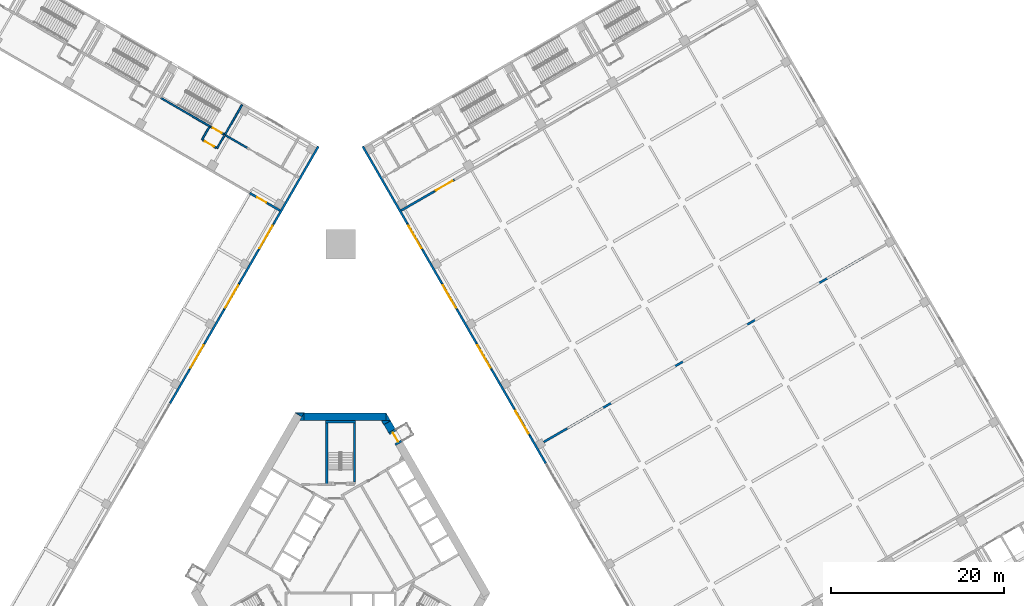
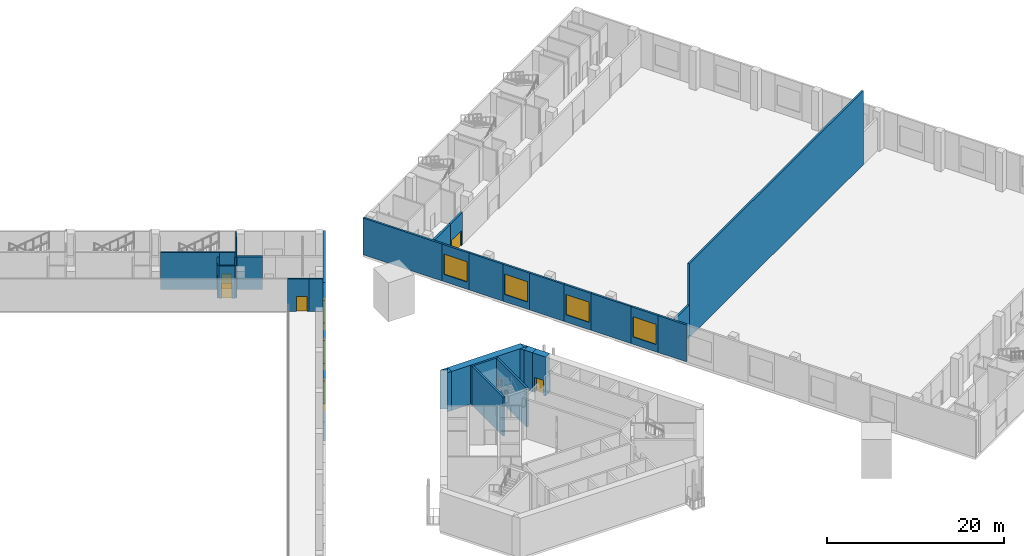
# One storey, part 18 of 35: 39 walls, 7 windows, 5 doors, 12 openings.
"""IFC4 building model written with IfcOpenShell, lengths in metres."""

from ifc_helpers import new_model, si_unit, direction, frame, frame_2d, origin, place, context, subcontext, project, spatial, polyline, rectangle, outline, extrude, material, layer, layer_set, type_object, element, fill, save


model = new_model("IFC4")

# Units and contexts
model_context = context("Model", 3, precision=1e-05, world=origin(), true_north=direction((0.0, 1.0)))
body_context = subcontext(model_context, "Body", "Model", "MODEL_VIEW")
ifc_project = project(units=[si_unit("LENGTHUNIT", "METRE"), si_unit("AREAUNIT", "SQUARE_METRE"), si_unit("VOLUMEUNIT", "CUBIC_METRE"), si_unit("PLANEANGLEUNIT", "RADIAN"), si_unit("MASSUNIT", "GRAM", prefix="KILO")], contexts=[model_context])

# Site, building, storey
site_placement = place(None, origin())
site = spatial("IfcSite", under=ifc_project, at=site_placement, CompositionType="ELEMENT")
building_placement = place(site_placement, origin())
building = spatial("IfcBuilding", under=site, at=building_placement, Name="Mestral Congress Tower", CompositionType="ELEMENT")
storey_placement = place(building_placement, frame((0.0, 0.0, 6.0)))
storey = spatial("IfcBuildingStorey", under=building, at=storey_placement, Name="L01", CompositionType="ELEMENT", Elevation=6.0)

# Walls
ifc_material_1 = material(Name="Concrete C60/75", Category="concrete")
ifc_layer_1 = layer(ifc_material_1, 0.89990234375)
ifc_layer_set_1 = layer_set([ifc_layer_1], Name="Concrete C60/75")
wall_type_1 = type_object("IfcWallType", Name="Core wall RC 900", PredefinedType="SOLIDWALL", material=ifc_layer_set_1)
placement = place(storey_placement, origin())
element("IfcWall", 1, at=placement, inside=storey, type_object=wall_type_1, Name="L01 core wall", PredefinedType="SOLIDWALL", context=body_context, shape_type="SweptSolid", body=[
    extrude(outline(polyline([(-4.214599609375, 16.89990234375), (-4.46875, 16.460205078125), (-5.230712890625, 16.89990234375), (-4.214599609375, 16.89990234375)])), origin(), (0.0, 0.0, 1.0), 5.39990234375),
])
wall_2_placement = place(storey_placement, frame((-4.224365234375, 16.449951171875, 0.0), z_axis=(0.0, 0.0, 1.0), x_axis=(1.0, 0.0, 0.0)))
element("IfcWall", 2, at=wall_2_placement, inside=storey, type_object=wall_type_1, Name="L01 core wall", PredefinedType="SOLIDWALL", context=body_context, shape_type="SweptSolid", body=[
    extrude(rectangle(XDim=9.48779296875, YDim=0.89990234375, at=frame_2d((4.743896484375, 0.0))), origin(), (0.0, 0.0, 1.0), 5.39990234375),
])
element("IfcWall", 3, at=placement, inside=storey, type_object=wall_type_1, Name="L01 core wall", PredefinedType="SOLIDWALL", context=body_context, shape_type="SweptSolid", body=[
    extrude(outline(polyline([(5.265380859375, 16.0), (5.265380859375, 16.8798828125), (5.7734375, 16.0), (5.265380859375, 16.0)])), origin(), (0.0, 0.0, 1.0), 5.39990234375),
])
element("IfcWall", 4, at=placement, inside=storey, type_object=wall_type_1, Name="L01 core wall", PredefinedType="SOLIDWALL", context=body_context, shape_type="SweptSolid", body=[
    extrude(outline(polyline([(-4.734375, 16.0), (-4.226318359375, 16.8798828125), (-4.226318359375, 16.0), (-4.734375, 16.0)])), origin(), (0.0, 0.0, 1.0), 5.39990234375),
])
wall_5_placement = place(storey_placement, frame((5.92578125, 14.836181640625, 0.0), z_axis=(0.0, 0.0, 1.0), x_axis=(-0.500076735116, 0.865981096212, 0.0)))
element("IfcWall", 5, at=wall_5_placement, inside=storey, type_object=wall_type_1, Name="L01 core wall", PredefinedType="SOLIDWALL", context=body_context, shape_type="SweptSolid", body=[
    extrude(rectangle(XDim=1.093505859375, YDim=0.89990234375, at=frame_2d((0.546875, 0.0))), origin(), (0.0, 0.0, 1.0), 5.39990234375),
])
element("IfcWall", 6, at=placement, inside=storey, type_object=wall_type_1, Name="L01 core wall", PredefinedType="SOLIDWALL", context=body_context, shape_type="SweptSolid", body=[
    extrude(outline(polyline([(4.734375, 16.0), (5.750244140625, 16.0), (4.98828125, 15.56005859375), (4.734375, 16.0)])), origin(), (0.0, 0.0, 1.0), 5.39990234375),
])

# Wall, opening, door
wall_7_placement = place(storey_placement, frame((5.92578125, 14.836181640625, 0.0), z_axis=(0.0, 0.0, 1.0), x_axis=(0.500062241894, -0.865989465428, 0.0)))
wall_7 = element("IfcWall", 7, at=wall_7_placement, inside=storey, type_object=wall_type_1, Name="L01 door wall", PredefinedType="SOLIDWALL", context=body_context, shape_type="SweptSolid", body=[
    extrude(rectangle(XDim=1.699951171875, YDim=0.89990234375, at=frame_2d((0.85009765625, 0.0))), origin(), (0.0, 0.0, 1.0), 5.39990234375),
])
opening_1_placement = place(wall_7_placement, frame((0.25, 0.0, 0.0)))
opening_1 = element("IfcOpeningElement", 8, at=opening_1_placement, cuts=wall_7, Name="Opening XD2", PredefinedType="OPENING", context=body_context, shape_type="SweptSolid", body=[
    extrude(rectangle(XDim=1.199951171875, YDim=2.10009765625, at=frame_2d((0.60009765625, 1.050048828125))), frame((0.0, 0.4599609375, 0.0), z_axis=(0.0, -1.0, 0.0), x_axis=(1.0, 0.0, 0.0)), (0.0, 0.0, 1.0), 0.919921875),
])
ifc_material_2 = material(Name="Fire-rated steel door set", Category="steel")
door_type_1 = type_object("IfcDoorType", Name="Core door XD 1200x2100", OperationType="SINGLE_SWING_LEFT", PredefinedType="DOOR", material=ifc_material_2)
door_1_placement = place(opening_1_placement, origin())
door_1 = element("IfcDoor", 9, at=door_1_placement, inside=storey, type_object=door_type_1, Name="Door XD2", OperationType="SINGLE_SWING_LEFT", OverallHeight=2.10009765625, OverallWidth=1.199951171875, PredefinedType="DOOR", context=body_context, shape_type="SweptSolid", body=[
    extrude(rectangle(XDim=1.199951171875, YDim=2.10009765625, at=frame_2d((0.60009765625, 1.050048828125))), frame((0.0, 0.02490234375, 0.0), z_axis=(0.0, -1.0, 0.0), x_axis=(1.0, 0.0, 0.0)), (0.0, 0.0, 1.0), 0.050048828125),
])
fill(opening_1, door_1)

# Wall
ifc_material_3 = material(Name="Precast concrete C40/50 with limestone facing", Category="masonry")
ifc_layer_2 = layer(ifc_material_3, 0.25)
ifc_layer_set_2 = layer_set([ifc_layer_2], Name="Precast concrete C40/50 with limestone facing")
wall_type_2 = type_object("IfcWallType", Name="Podium external wall 250", PredefinedType="SOLIDWALL", material=ifc_layer_set_2)
wall_8_placement = place(storey_placement, frame((23.6875, 11.077880859375, 0.0), z_axis=(0.0, 0.0, 1.0), x_axis=(-0.499982597115, 0.866035451112, 0.0)))
element("IfcWall", 10, at=wall_8_placement, inside=storey, type_object=wall_type_2, Name="L01 external wall", PredefinedType="SOLIDWALL", context=body_context, shape_type="SweptSolid", body=[
    extrude(rectangle(XDim=3.737060546875, YDim=0.25, at=frame_2d((1.86865234375, 0.0))), origin(), (0.0, 0.0, 1.0), 5.10009765625),
])

# Wall, opening, window
wall_9_placement = place(storey_placement, frame((21.819091796875, 14.314208984375, 0.0), z_axis=(0.0, 0.0, 1.0), x_axis=(-0.499980071345, 0.866036909293, 0.0)))
wall_9 = element("IfcWall", 11, at=wall_9_placement, inside=storey, type_object=wall_type_2, Name="L01 external wall", PredefinedType="SOLIDWALL", context=body_context, shape_type="SweptSolid", body=[
    extrude(rectangle(XDim=3.500244140625, YDim=0.25, at=frame_2d((1.75, 0.0))), origin(), (0.0, 0.0, 1.0), 5.10009765625),
])
opening_2_placement = place(wall_9_placement, frame((0.25, 0.0, 1.0)))
opening_2 = element("IfcOpeningElement", 12, at=opening_2_placement, cuts=wall_9, Name="Opening PW-3000x2800", PredefinedType="OPENING", context=body_context, shape_type="SweptSolid", body=[
    extrude(rectangle(XDim=3.0, YDim=2.800048828125, at=frame_2d((1.5, 1.39990234375))), frame((0.0, 0.135009765625, 0.0), z_axis=(0.0, -1.0, 0.0), x_axis=(1.0, 0.0, 0.0)), (0.0, 0.0, 1.0), 0.27001953125),
])
ifc_material_4 = material(Name="Aluminium frame, clear double glazing", Category="aluminium")
window_type_1 = type_object("IfcWindowType", Name="Podium window 3000x2800 sill 1000", PartitioningType="SINGLE_PANEL", PredefinedType="WINDOW", material=ifc_material_4)
window_1_placement = place(opening_2_placement, origin())
window_1 = element("IfcWindow", 13, at=window_1_placement, inside=storey, type_object=window_type_1, Name="Window", OverallHeight=2.800048828125, OverallWidth=3.0, PartitioningType="SINGLE_PANEL", PredefinedType="WINDOW", context=body_context, shape_type="SweptSolid", body=[
    extrude(rectangle(XDim=3.0, YDim=2.800048828125, at=frame_2d((1.5, 1.39990234375))), frame((0.0, 0.030029296875, 0.0), z_axis=(0.0, -1.0, 0.0), x_axis=(1.0, 0.0, 0.0)), (0.0, 0.0, 1.0), 0.06005859375),
])
fill(opening_2, window_1)

# Wall
wall_10_placement = place(storey_placement, frame((20.069091796875, 17.345458984375, 0.0), z_axis=(0.0, 0.0, 1.0), x_axis=(-0.50001558016, 0.866016408388, 0.0)))
element("IfcWall", 14, at=wall_10_placement, inside=storey, type_object=wall_type_2, Name="L01 external wall", PredefinedType="SOLIDWALL", context=body_context, shape_type="SweptSolid", body=[
    extrude(rectangle(XDim=5.262939453125, YDim=0.25, at=frame_2d((2.63134765625, 0.0))), origin(), (0.0, 0.0, 1.0), 5.10009765625),
])

# Wall, opening, window
wall_11_placement = place(storey_placement, frame((17.4375, 21.9033203125, 0.0), z_axis=(0.0, 0.0, 1.0), x_axis=(-0.500010275428, 0.866019471182, 0.0)))
wall_11 = element("IfcWall", 15, at=wall_11_placement, inside=storey, type_object=wall_type_2, Name="L01 external wall", PredefinedType="SOLIDWALL", context=body_context, shape_type="SweptSolid", body=[
    extrude(rectangle(XDim=3.5, YDim=0.25, at=frame_2d((1.75, 0.0))), origin(), (0.0, 0.0, 1.0), 5.10009765625),
])
opening_3_placement = place(wall_11_placement, frame((0.25, 0.0, 1.0)))
opening_3 = element("IfcOpeningElement", 16, at=opening_3_placement, cuts=wall_11, Name="Opening PW-3000x2800", PredefinedType="OPENING", context=body_context, shape_type="SweptSolid", body=[
    extrude(rectangle(XDim=3.0, YDim=2.800048828125, at=frame_2d((1.5, 1.39990234375))), frame((0.0, 0.135009765625, 0.0), z_axis=(0.0, -1.0, 0.0), x_axis=(1.0, 0.0, 0.0)), (0.0, 0.0, 1.0), 0.27001953125),
])
window_2_placement = place(opening_3_placement, origin())
window_2 = element("IfcWindow", 17, at=window_2_placement, inside=storey, type_object=window_type_1, Name="Window", OverallHeight=2.800048828125, OverallWidth=3.0, PartitioningType="SINGLE_PANEL", PredefinedType="WINDOW", context=body_context, shape_type="SweptSolid", body=[
    extrude(rectangle(XDim=3.0, YDim=2.800048828125, at=frame_2d((1.5, 1.39990234375))), frame((0.0, 0.030029296875, 0.0), z_axis=(0.0, -1.0, 0.0), x_axis=(1.0, 0.0, 0.0)), (0.0, 0.0, 1.0), 0.06005859375),
])
fill(opening_3, window_2)

# Wall
wall_12_placement = place(storey_placement, frame((15.6875, 24.934326171875, 0.0), z_axis=(0.0, 0.0, 1.0), x_axis=(-0.499990139034, 0.866031096941, 0.0)))
element("IfcWall", 18, at=wall_12_placement, inside=storey, type_object=wall_type_2, Name="L01 external wall", PredefinedType="SOLIDWALL", context=body_context, shape_type="SweptSolid", body=[
    extrude(rectangle(XDim=4.5, YDim=0.25, at=frame_2d((2.25, 0.0))), origin(), (0.0, 0.0, 1.0), 5.10009765625),
])

# Wall, opening, window
wall_13_placement = place(storey_placement, frame((13.4375, 28.83154296875, 0.0), z_axis=(0.0, 0.0, 1.0), x_axis=(-0.500010275428, 0.866019471182, 0.0)))
wall_13 = element("IfcWall", 19, at=wall_13_placement, inside=storey, type_object=wall_type_2, Name="L01 external wall", PredefinedType="SOLIDWALL", context=body_context, shape_type="SweptSolid", body=[
    extrude(rectangle(XDim=3.5, YDim=0.25, at=frame_2d((1.75, 0.0))), origin(), (0.0, 0.0, 1.0), 5.10009765625),
])
opening_4_placement = place(wall_13_placement, frame((0.25, 0.0, 1.0)))
opening_4 = element("IfcOpeningElement", 20, at=opening_4_placement, cuts=wall_13, Name="Opening PW-3000x2800", PredefinedType="OPENING", context=body_context, shape_type="SweptSolid", body=[
    extrude(rectangle(XDim=3.0, YDim=2.800048828125, at=frame_2d((1.5, 1.39990234375))), frame((0.0, 0.135009765625, 0.0), z_axis=(0.0, -1.0, 0.0), x_axis=(1.0, 0.0, 0.0)), (0.0, 0.0, 1.0), 0.27001953125),
])
window_3_placement = place(opening_4_placement, origin())
window_3 = element("IfcWindow", 21, at=window_3_placement, inside=storey, type_object=window_type_1, Name="Window", OverallHeight=2.800048828125, OverallWidth=3.0, PartitioningType="SINGLE_PANEL", PredefinedType="WINDOW", context=body_context, shape_type="SweptSolid", body=[
    extrude(rectangle(XDim=3.0, YDim=2.800048828125, at=frame_2d((1.5, 1.39990234375))), frame((0.0, 0.030029296875, 0.0), z_axis=(0.0, -1.0, 0.0), x_axis=(1.0, 0.0, 0.0)), (0.0, 0.0, 1.0), 0.06005859375),
])
fill(opening_4, window_3)

# Wall
wall_14_placement = place(storey_placement, frame((11.6875, 31.862548828125, 0.0), z_axis=(0.0, 0.0, 1.0), x_axis=(-0.499990705068, 0.866030770149, 0.0)))
element("IfcWall", 22, at=wall_14_placement, inside=storey, type_object=wall_type_2, Name="L01 external wall", PredefinedType="SOLIDWALL", context=body_context, shape_type="SweptSolid", body=[
    extrude(rectangle(XDim=4.43798828125, YDim=0.25, at=frame_2d((2.218994140625, 0.0))), origin(), (0.0, 0.0, 1.0), 5.10009765625),
])

# Wall, opening, window
wall_15_placement = place(storey_placement, frame((9.468505859375, 35.7060546875, 0.0), z_axis=(0.0, 0.0, 1.0), x_axis=(-0.500010275428, 0.866019471182, 0.0)))
wall_15 = element("IfcWall", 23, at=wall_15_placement, inside=storey, type_object=wall_type_2, Name="L01 external wall", PredefinedType="SOLIDWALL", context=body_context, shape_type="SweptSolid", body=[
    extrude(rectangle(XDim=3.5, YDim=0.25, at=frame_2d((1.75, 0.0))), origin(), (0.0, 0.0, 1.0), 5.10009765625),
])
opening_5_placement = place(wall_15_placement, frame((0.25, 0.0, 1.0)))
opening_5 = element("IfcOpeningElement", 24, at=opening_5_placement, cuts=wall_15, Name="Opening PW-3000x2800", PredefinedType="OPENING", context=body_context, shape_type="SweptSolid", body=[
    extrude(rectangle(XDim=3.0, YDim=2.800048828125, at=frame_2d((1.5, 1.39990234375))), frame((0.0, 0.135009765625, 0.0), z_axis=(0.0, -1.0, 0.0), x_axis=(1.0, 0.0, 0.0)), (0.0, 0.0, 1.0), 0.27001953125),
])
window_4_placement = place(opening_5_placement, origin())
window_4 = element("IfcWindow", 25, at=window_4_placement, inside=storey, type_object=window_type_1, Name="Window", OverallHeight=2.800048828125, OverallWidth=3.0, PartitioningType="SINGLE_PANEL", PredefinedType="WINDOW", context=body_context, shape_type="SweptSolid", body=[
    extrude(rectangle(XDim=3.0, YDim=2.800048828125, at=frame_2d((1.5, 1.39990234375))), frame((0.0, 0.030029296875, 0.0), z_axis=(0.0, -1.0, 0.0), x_axis=(1.0, 0.0, 0.0)), (0.0, 0.0, 1.0), 0.06005859375),
])
fill(opening_5, window_4)

# Walls
for number, where, z_axis, x_axis, name in (
    (26, (7.718505859375, 38.737060546875, 0.0), (0.0, 0.0, 1.0), (-0.500001855621, 0.866024332438, 0.0), "L01 external wall"),
    (27, (-2.5625, 47.66748046875, 0.0), (0.0, 0.0, 1.0), (-0.500001855621, -0.866024332438, 0.0), "L01 external wall"),
):
    element("IfcWall", number, at=place(storey_placement, frame(where, z_axis=z_axis, x_axis=x_axis)), inside=storey, type_object=wall_type_2, Name=name, PredefinedType="SOLIDWALL", context=body_context, shape_type="SweptSolid", body=[
        extrude(rectangle(XDim=10.31201171875, YDim=0.25, at=frame_2d((5.156005859375, 0.0))), origin(), (0.0, 0.0, 1.0), 5.10009765625),
    ])

# Wall, opening, window
wall_16_placement = place(storey_placement, frame((-7.718505859375, 38.737060546875, 0.0), z_axis=(0.0, 0.0, 1.0), x_axis=(-0.500010275428, -0.866019471182, 0.0)))
wall_16 = element("IfcWall", 28, at=wall_16_placement, inside=storey, type_object=wall_type_2, Name="L01 external wall", PredefinedType="SOLIDWALL", context=body_context, shape_type="SweptSolid", body=[
    extrude(rectangle(XDim=3.5, YDim=0.25, at=frame_2d((1.75, 0.0))), origin(), (0.0, 0.0, 1.0), 5.10009765625),
])
opening_6_placement = place(wall_16_placement, frame((0.25, 0.0, 0.89990234375)))
opening_6 = element("IfcOpeningElement", 29, at=opening_6_placement, cuts=wall_16, Name="Opening PW-3000x2200", PredefinedType="OPENING", context=body_context, shape_type="SweptSolid", body=[
    extrude(rectangle(XDim=3.0, YDim=2.199951171875, at=frame_2d((1.5, 1.10009765625))), frame((0.0, 0.135009765625, 0.0), z_axis=(0.0, -1.0, 0.0), x_axis=(1.0, 0.0, 0.0)), (0.0, 0.0, 1.0), 0.27001953125),
])
window_type_2 = type_object("IfcWindowType", Name="Podium window 3000x2200 sill 900", PartitioningType="SINGLE_PANEL", PredefinedType="WINDOW", material=ifc_material_4)
window_5_placement = place(opening_6_placement, origin())
window_5 = element("IfcWindow", 30, at=window_5_placement, inside=storey, type_object=window_type_2, Name="Window", OverallHeight=2.199951171875, OverallWidth=3.0, PartitioningType="SINGLE_PANEL", PredefinedType="WINDOW", context=body_context, shape_type="SweptSolid", body=[
    extrude(rectangle(XDim=3.0, YDim=2.199951171875, at=frame_2d((1.5, 1.10009765625))), frame((0.0, 0.030029296875, 0.0), z_axis=(0.0, -1.0, 0.0), x_axis=(1.0, 0.0, 0.0)), (0.0, 0.0, 1.0), 0.06005859375),
])
fill(opening_6, window_5)

# Wall
wall_17_placement = place(storey_placement, frame((-9.468505859375, 35.7060546875, 0.0), z_axis=(0.0, 0.0, 1.0), x_axis=(-0.499990705068, -0.866030770149, 0.0)))
element("IfcWall", 31, at=wall_17_placement, inside=storey, type_object=wall_type_2, Name="L01 external wall", PredefinedType="SOLIDWALL", context=body_context, shape_type="SweptSolid", body=[
    extrude(rectangle(XDim=4.43798828125, YDim=0.25, at=frame_2d((2.218994140625, 0.0))), origin(), (0.0, 0.0, 1.0), 5.10009765625),
])

# Wall, opening, window
wall_18_placement = place(storey_placement, frame((-11.6875, 31.862548828125, 0.0), z_axis=(0.0, 0.0, 1.0), x_axis=(-0.499980071345, -0.866036909293, 0.0)))
wall_18 = element("IfcWall", 32, at=wall_18_placement, inside=storey, type_object=wall_type_2, Name="L01 external wall", PredefinedType="SOLIDWALL", context=body_context, shape_type="SweptSolid", body=[
    extrude(rectangle(XDim=3.500244140625, YDim=0.25, at=frame_2d((1.75, 0.0))), origin(), (0.0, 0.0, 1.0), 5.10009765625),
])
opening_7_placement = place(wall_18_placement, frame((0.25, 0.0, 0.89990234375)))
opening_7 = element("IfcOpeningElement", 33, at=opening_7_placement, cuts=wall_18, Name="Opening PW-3000x2200", PredefinedType="OPENING", context=body_context, shape_type="SweptSolid", body=[
    extrude(rectangle(XDim=3.0, YDim=2.199951171875, at=frame_2d((1.5, 1.10009765625))), frame((0.0, 0.135009765625, 0.0), z_axis=(0.0, -1.0, 0.0), x_axis=(1.0, 0.0, 0.0)), (0.0, 0.0, 1.0), 0.27001953125),
])
window_6_placement = place(opening_7_placement, origin())
window_6 = element("IfcWindow", 34, at=window_6_placement, inside=storey, type_object=window_type_2, Name="Window", OverallHeight=2.199951171875, OverallWidth=3.0, PartitioningType="SINGLE_PANEL", PredefinedType="WINDOW", context=body_context, shape_type="SweptSolid", body=[
    extrude(rectangle(XDim=3.0, YDim=2.199951171875, at=frame_2d((1.5, 1.10009765625))), frame((0.0, 0.030029296875, 0.0), z_axis=(0.0, -1.0, 0.0), x_axis=(1.0, 0.0, 0.0)), (0.0, 0.0, 1.0), 0.06005859375),
])
fill(opening_7, window_6)

# Wall
wall_19_placement = place(storey_placement, frame((-13.4375, 28.831298828125, 0.0), z_axis=(0.0, 0.0, 1.0), x_axis=(-0.500013631625, -0.866017533419, 0.0)))
element("IfcWall", 35, at=wall_19_placement, inside=storey, type_object=wall_type_2, Name="L01 external wall", PredefinedType="SOLIDWALL", context=body_context, shape_type="SweptSolid", body=[
    extrude(rectangle(XDim=4.499755859375, YDim=0.25, at=frame_2d((2.25, 0.0))), origin(), (0.0, 0.0, 1.0), 5.10009765625),
])

# Wall, opening, window
wall_20_placement = place(storey_placement, frame((-15.6875, 24.934326171875, 0.0), z_axis=(0.0, 0.0, 1.0), x_axis=(-0.500010275428, -0.866019471182, 0.0)))
wall_20 = element("IfcWall", 36, at=wall_20_placement, inside=storey, type_object=wall_type_2, Name="L01 external wall", PredefinedType="SOLIDWALL", context=body_context, shape_type="SweptSolid", body=[
    extrude(rectangle(XDim=3.5, YDim=0.25, at=frame_2d((1.75, 0.0))), origin(), (0.0, 0.0, 1.0), 5.10009765625),
])
opening_8_placement = place(wall_20_placement, frame((0.25, 0.0, 0.89990234375)))
opening_8 = element("IfcOpeningElement", 37, at=opening_8_placement, cuts=wall_20, Name="Opening PW-3000x2200", PredefinedType="OPENING", context=body_context, shape_type="SweptSolid", body=[
    extrude(rectangle(XDim=3.0, YDim=2.199951171875, at=frame_2d((1.5, 1.10009765625))), frame((0.0, 0.135009765625, 0.0), z_axis=(0.0, -1.0, 0.0), x_axis=(1.0, 0.0, 0.0)), (0.0, 0.0, 1.0), 0.27001953125),
])
window_7_placement = place(opening_8_placement, origin())
window_7 = element("IfcWindow", 38, at=window_7_placement, inside=storey, type_object=window_type_2, Name="Window", OverallHeight=2.199951171875, OverallWidth=3.0, PartitioningType="SINGLE_PANEL", PredefinedType="WINDOW", context=body_context, shape_type="SweptSolid", body=[
    extrude(rectangle(XDim=3.0, YDim=2.199951171875, at=frame_2d((1.5, 1.10009765625))), frame((0.0, 0.030029296875, 0.0), z_axis=(0.0, -1.0, 0.0), x_axis=(1.0, 0.0, 0.0)), (0.0, 0.0, 1.0), 0.06005859375),
])
fill(opening_8, window_7)

# Walls
wall_21_placement = place(storey_placement, frame((-17.4375, 21.9033203125, 0.0), z_axis=(0.0, 0.0, 1.0), x_axis=(-0.499990139034, -0.866031096941, 0.0)))
element("IfcWall", 39, at=wall_21_placement, inside=storey, type_object=wall_type_2, Name="L01 external wall", PredefinedType="SOLIDWALL", context=body_context, shape_type="SweptSolid", body=[
    extrude(rectangle(XDim=4.5, YDim=0.25, at=frame_2d((2.25, 0.0))), origin(), (0.0, 0.0, 1.0), 5.10009765625),
])
ifc_material_5 = material(Name="Masonry block wall", Category="masonry")
ifc_layer_3 = layer(ifc_material_5, 0.25)
ifc_layer_set_3 = layer_set([ifc_layer_3], Name="Masonry block wall")
wall_type_3 = type_object("IfcWallType", Name="Podium hall wall 250 EI 180", PredefinedType="SOLIDWALL", material=ifc_layer_set_3)
wall_22_placement = place(storey_placement, frame((23.4501953125, 13.5390625, 0.0), z_axis=(0.0, 0.0, 1.0), x_axis=(0.866035871367, 0.499981869177, 0.0)))
element("IfcWall", 40, at=wall_22_placement, inside=storey, type_object=wall_type_3, Name="L01 partition", PredefinedType="SOLIDWALL", context=body_context, shape_type="SweptSolid", body=[
    extrude(rectangle(XDim=3.14990234375, YDim=0.25, at=frame_2d((1.574951171875, 0.0))), origin(), (0.0, 0.0, 1.0), 4.5),
])
wall_23_placement = place(storey_placement, frame((6.9833984375, 40.260498046875, 0.0), z_axis=(0.0, 0.0, 1.0), x_axis=(0.865994303029, 0.500053864221, 0.0)))
element("IfcWall", 41, at=wall_23_placement, inside=storey, type_object=wall_type_3, Name="L01 partition", PredefinedType="SOLIDWALL", context=body_context, shape_type="SweptSolid", body=[
    extrude(rectangle(XDim=4.39990234375, YDim=0.25, at=frame_2d((2.199951171875, 0.0))), origin(), (0.0, 0.0, 1.0), 4.5),
])

# Wall, opening, door
wall_24_placement = place(storey_placement, frame((10.793701171875, 42.460693359375, 0.0), z_axis=(0.0, 0.0, 1.0), x_axis=(0.866059108428, 0.4999416173, 0.0)))
wall_24 = element("IfcWall", 42, at=wall_24_placement, inside=storey, type_object=wall_type_3, Name="L01 partition", PredefinedType="SOLIDWALL", context=body_context, shape_type="SweptSolid", body=[
    extrude(rectangle(XDim=2.699951171875, YDim=0.25, at=frame_2d((1.35009765625, 0.0))), origin(), (0.0, 0.0, 1.0), 4.5),
])
opening_9_placement = place(wall_24_placement, frame((0.25, 0.0, 0.0)))
opening_9 = element("IfcOpeningElement", 43, at=opening_9_placement, cuts=wall_24, Name="Opening P01-022", PredefinedType="OPENING", context=body_context, shape_type="SweptSolid", body=[
    extrude(rectangle(XDim=2.199951171875, YDim=2.10009765625, at=frame_2d((1.10009765625, 1.050048828125))), frame((0.0, 0.135009765625, 0.0), z_axis=(0.0, -1.0, 0.0), x_axis=(1.0, 0.0, 0.0)), (0.0, 0.0, 1.0), 0.27001953125),
])
door_type_2 = type_object("IfcDoorType", Name="Podium hall door 2200x2100 EI2 90-C5", OperationType="DOUBLE_DOOR_SINGLE_SWING", PredefinedType="DOOR", material=ifc_material_2)
door_2_placement = place(opening_9_placement, origin())
door_2 = element("IfcDoor", 44, at=door_2_placement, inside=storey, type_object=door_type_2, Name="Door P01-022", OperationType="DOUBLE_DOOR_SINGLE_SWING", OverallHeight=2.10009765625, OverallWidth=2.199951171875, PredefinedType="DOOR", context=body_context, shape_type="SweptSolid", body=[
    extrude(rectangle(XDim=2.199951171875, YDim=2.10009765625, at=frame_2d((1.10009765625, 1.050048828125))), frame((0.0, 0.02490234375, 0.0), z_axis=(0.0, -1.0, 0.0), x_axis=(1.0, 0.0, 0.0)), (0.0, 0.0, 1.0), 0.050048828125),
])
fill(opening_9, door_2)

# Wall
wall_25_placement = place(storey_placement, frame((-6.9833984375, 40.260498046875, 0.0), z_axis=(0.0, 0.0, 1.0), x_axis=(-0.865989903783, 0.500061482766, 0.0)))
element("IfcWall", 45, at=wall_25_placement, inside=storey, type_object=wall_type_3, Name="L01 partition", PredefinedType="SOLIDWALL", context=body_context, shape_type="SweptSolid", body=[
    extrude(rectangle(XDim=1.599853515625, YDim=0.25, at=frame_2d((0.7998046875, 0.0))), origin(), (0.0, 0.0, 1.0), 4.5),
])

# Wall, opening, door
wall_26_placement = place(storey_placement, frame((-10.49072265625, 42.285400390625, 0.0), z_axis=(0.0, 0.0, 1.0), x_axis=(0.866057815567, -0.499943856944, 0.0)))
wall_26 = element("IfcWall", 46, at=wall_26_placement, inside=storey, type_object=wall_type_3, Name="L01 partition", PredefinedType="SOLIDWALL", context=body_context, shape_type="SweptSolid", body=[
    extrude(rectangle(XDim=2.449951171875, YDim=0.25, at=frame_2d((1.22509765625, 0.0))), origin(), (0.0, 0.0, 1.0), 4.5),
])
opening_10_placement = place(wall_26_placement, frame((1.0, 0.0, 0.0)))
opening_10 = element("IfcOpeningElement", 47, at=opening_10_placement, cuts=wall_26, Name="Opening P01-317", PredefinedType="OPENING", context=body_context, shape_type="SweptSolid", body=[
    extrude(rectangle(XDim=1.199951171875, YDim=2.10009765625, at=frame_2d((0.60009765625, 1.050048828125))), frame((0.0, 0.135009765625, 0.0), z_axis=(0.0, -1.0, 0.0), x_axis=(1.0, 0.0, 0.0)), (0.0, 0.0, 1.0), 0.27001953125),
])
door_type_3 = type_object("IfcDoorType", Name="Podium hall door 1200x2100 EI2 90-C5", OperationType="SINGLE_SWING_LEFT", PredefinedType="DOOR", material=ifc_material_2)
door_3_placement = place(opening_10_placement, origin())
door_3 = element("IfcDoor", 48, at=door_3_placement, inside=storey, type_object=door_type_3, Name="Door P01-317", OperationType="SINGLE_SWING_LEFT", OverallHeight=2.10009765625, OverallWidth=1.199951171875, PredefinedType="DOOR", context=body_context, shape_type="SweptSolid", body=[
    extrude(rectangle(XDim=1.199951171875, YDim=2.10009765625, at=frame_2d((0.60009765625, 1.050048828125))), frame((0.0, 0.02490234375, 0.0), z_axis=(0.0, -1.0, 0.0), x_axis=(1.0, 0.0, 0.0)), (0.0, 0.0, 1.0), 0.050048828125),
])
fill(opening_10, door_3)

# Walls
ifc_layer_4 = layer(ifc_material_5, 0.25)
ifc_layer_set_4 = layer_set([ifc_layer_4], Name="Masonry block wall")
wall_type_4 = type_object("IfcWallType", Name="Podium hall wall 250 EI 180 full height", PredefinedType="SOLIDWALL", material=ifc_layer_set_4)
wall_27_placement = place(storey_placement, frame((26.17822265625, 15.114013671875, 0.0), z_axis=(0.0, 0.0, 1.0), x_axis=(0.866025540551, 0.499999763114, 0.0)))
element("IfcWall", 49, at=wall_27_placement, inside=storey, type_object=wall_type_4, Name="L01 partition", PredefinedType="SOLIDWALL", context=body_context, shape_type="SweptSolid", body=[
    extrude(rectangle(XDim=39.39990234375, YDim=0.25, at=frame_2d((19.699951171875, 0.0))), origin(), (0.0, 0.0, 1.0), 10.199951171875),
])
ifc_layer_5 = layer(ifc_material_5, 0.199951171875)
ifc_layer_set_5 = layer_set([ifc_layer_5], Name="Masonry block wall")
wall_type_5 = type_object("IfcWallType", Name="Podium stair enclosure wall 200 EI 120 load-bearing", PredefinedType="SOLIDWALL", material=ifc_layer_set_5)
wall_28_placement = place(storey_placement, frame((-11.369384765625, 52.46337890625, 0.0), z_axis=(0.0, 0.0, 1.0), x_axis=(-0.50002537861, -0.866010750942, 0.0)))
element("IfcWall", 50, at=wall_28_placement, inside=storey, type_object=wall_type_5, Name="L01 partition", PredefinedType="SOLIDWALL", context=body_context, shape_type="SweptSolid", body=[
    extrude(rectangle(XDim=3.999755859375, YDim=0.199951171875, at=frame_2d((2.0, 0.0))), origin(), (0.0, 0.0, 1.0), 5.10009765625),
])

# Wall, opening, door
wall_29_placement = place(storey_placement, frame((-14.9716796875, 49.92431640625, 0.0), z_axis=(0.0, 0.0, 1.0), x_axis=(0.866036909293, -0.499980071345, 0.0)))
wall_29 = element("IfcWall", 51, at=wall_29_placement, inside=storey, type_object=wall_type_5, Name="L01 partition", PredefinedType="SOLIDWALL", context=body_context, shape_type="SweptSolid", body=[
    extrude(rectangle(XDim=1.75, YDim=0.199951171875, at=frame_2d((0.875, 0.0))), origin(), (0.0, 0.0, 1.0), 5.10009765625),
])
opening_11_placement = place(wall_29_placement, frame((0.25, 0.0, 0.0)))
opening_11 = element("IfcOpeningElement", 52, at=opening_11_placement, cuts=wall_29, Name="Opening P01-301", PredefinedType="OPENING", context=body_context, shape_type="SweptSolid", body=[
    extrude(rectangle(XDim=1.199951171875, YDim=2.10009765625, at=frame_2d((0.60009765625, 1.050048828125))), frame((0.0, 0.10986328125, 0.0), z_axis=(0.0, -1.0, 0.0), x_axis=(1.0, 0.0, 0.0)), (0.0, 0.0, 1.0), 0.219970703125),
])
door_type_4 = type_object("IfcDoorType", Name="Podium stair door 1200x2100 EI2 30-C5", OperationType="SINGLE_SWING_LEFT", PredefinedType="DOOR", material=ifc_material_2)
door_4_placement = place(opening_11_placement, origin())
door_4 = element("IfcDoor", 53, at=door_4_placement, inside=storey, type_object=door_type_4, Name="Door P01-301", OperationType="SINGLE_SWING_LEFT", OverallHeight=2.10009765625, OverallWidth=1.199951171875, PredefinedType="DOOR", context=body_context, shape_type="SweptSolid", body=[
    extrude(rectangle(XDim=1.199951171875, YDim=2.10009765625, at=frame_2d((0.60009765625, 1.050048828125))), frame((0.0, 0.02490234375, 0.0), z_axis=(0.0, -1.0, 0.0), x_axis=(1.0, 0.0, 0.0)), (0.0, 0.0, 1.0), 0.050048828125),
])
fill(opening_11, door_4)

# Walls
wall_30_placement = place(storey_placement, frame((-14.9716796875, 49.92431640625, 0.0), z_axis=(0.0, 0.0, 1.0), x_axis=(-0.86601134256, 0.500024353964, 0.0)))
element("IfcWall", 54, at=wall_30_placement, inside=storey, type_object=wall_type_5, Name="L01 partition", PredefinedType="SOLIDWALL", context=body_context, shape_type="SweptSolid", body=[
    extrude(rectangle(XDim=6.650146484375, YDim=0.199951171875, at=frame_2d((3.3251953125, 0.0))), origin(), (0.0, 0.0, 1.0), 5.10009765625),
])
ifc_material_6 = material(Name="Fire-rated board partition")
ifc_layer_6 = layer(ifc_material_6, 0.199951171875)
ifc_layer_set_6 = layer_set([ifc_layer_6], Name="Fire-rated board partition")
wall_type_6 = type_object("IfcWallType", Name="Podium vestibule wall 200 EI 120", PredefinedType="PARTITIONING", material=ifc_layer_set_6)
wall_31_placement = place(storey_placement, frame((-13.41943359375, 48.912841796875, 0.0), z_axis=(0.0, 0.0, 1.0), x_axis=(-0.500000056704, -0.866025371046, 0.0)))
element("IfcWall", 55, at=wall_31_placement, inside=storey, type_object=wall_type_6, Name="L01 partition", PredefinedType="PARTITIONING", context=body_context, shape_type="SweptSolid", body=[
    extrude(rectangle(XDim=1.7001953125, YDim=0.199951171875, at=frame_2d((0.85009765625, 0.0))), origin(), (0.0, 0.0, 1.0), 4.5),
])
wall_32_placement = place(storey_placement, frame((-15.151611328125, 49.912841796875, 0.0), z_axis=(0.0, 0.0, 1.0), x_axis=(-0.499892348375, -0.866087547558, 0.0)))
element("IfcWall", 56, at=wall_32_placement, inside=storey, type_object=wall_type_6, Name="L01 partition", PredefinedType="PARTITIONING", context=body_context, shape_type="SweptSolid", body=[
    extrude(rectangle(XDim=1.699951171875, YDim=0.199951171875, at=frame_2d((0.85009765625, 0.0))), origin(), (0.0, 0.0, 1.0), 4.5),
])

# Wall, opening, door
wall_33_placement = place(storey_placement, frame((-15.914794921875, 48.390380859375, 0.0), z_axis=(0.0, 0.0, 1.0), x_axis=(0.866013897511, -0.50001992892, 0.0)))
wall_33 = element("IfcWall", 57, at=wall_33_placement, inside=storey, type_object=wall_type_6, Name="L01 partition", PredefinedType="PARTITIONING", context=body_context, shape_type="SweptSolid", body=[
    extrude(rectangle(XDim=1.7998046875, YDim=0.199951171875, at=frame_2d((0.89990234375, 0.0))), origin(), (0.0, 0.0, 1.0), 4.5),
])
opening_12_placement = place(wall_33_placement, frame((0.300048828125, 0.0, 0.0)))
opening_12 = element("IfcOpeningElement", 58, at=opening_12_placement, cuts=wall_33, Name="Opening P01-311", PredefinedType="OPENING", context=body_context, shape_type="SweptSolid", body=[
    extrude(rectangle(XDim=1.199951171875, YDim=2.10009765625, at=frame_2d((0.60009765625, 1.050048828125))), frame((0.0, 0.10986328125, 0.0), z_axis=(0.0, -1.0, 0.0), x_axis=(1.0, 0.0, 0.0)), (0.0, 0.0, 1.0), 0.219970703125),
])
door_type_5 = type_object("IfcDoorType", Name="Podium vestibule door 1200x2100 EI2 30-C5", OperationType="SINGLE_SWING_LEFT", PredefinedType="DOOR", material=ifc_material_2)
door_5_placement = place(opening_12_placement, origin())
door_5 = element("IfcDoor", 59, at=door_5_placement, inside=storey, type_object=door_type_5, Name="Door P01-311", OperationType="SINGLE_SWING_LEFT", OverallHeight=2.10009765625, OverallWidth=1.199951171875, PredefinedType="DOOR", context=body_context, shape_type="SweptSolid", body=[
    extrude(rectangle(XDim=1.199951171875, YDim=2.10009765625, at=frame_2d((0.60009765625, 1.050048828125))), frame((0.0, 0.02490234375, 0.0), z_axis=(0.0, -1.0, 0.0), x_axis=(1.0, 0.0, 0.0)), (0.0, 0.0, 1.0), 0.050048828125),
])
fill(opening_12, door_5)

# Walls
wall_34_placement = place(storey_placement, frame((-10.749755859375, 47.48681640625, 0.0), z_axis=(0.0, 0.0, 1.0), x_axis=(-0.86601045545, 0.500025890382, 0.0)))
element("IfcWall", 60, at=wall_34_placement, inside=storey, type_object=wall_type_6, Name="L01 partition", PredefinedType="PARTITIONING", context=body_context, shape_type="SweptSolid", body=[
    extrude(rectangle(XDim=2.925048828125, YDim=0.199951171875, at=frame_2d((1.46240234375, 0.0))), origin(), (0.0, 0.0, 1.0), 4.5),
])
ifc_layer_7 = layer(ifc_material_1, 0.25)
ifc_layer_set_7 = layer_set([ifc_layer_7], Name="Concrete C60/75")
wall_type_7 = type_object("IfcWallType", Name="Stair wall RC 250", PredefinedType="SOLIDWALL", material=ifc_layer_set_7)
wall_35_placement = place(storey_placement, frame((-1.72509765625, 15.875, 0.0), z_axis=(0.0, 0.0, 1.0), x_axis=(1.0, 0.0, 0.0)))
element("IfcWall", 61, at=wall_35_placement, inside=storey, type_object=wall_type_7, Name="L01 core wall", PredefinedType="SOLIDWALL", context=body_context, shape_type="SweptSolid", body=[
    extrude(rectangle(XDim=3.4501953125, YDim=0.25, at=frame_2d((1.72509765625, 0.0))), origin(), (0.0, 0.0, 1.0), 5.39990234375),
])
wall_36_placement = place(storey_placement, frame((1.60009765625, 8.949951171875, 0.0), z_axis=(0.0, 0.0, 1.0), x_axis=(0.0, 1.0, 0.0)))
element("IfcWall", 62, at=wall_36_placement, inside=storey, type_object=wall_type_7, Name="L01 core wall", PredefinedType="SOLIDWALL", context=body_context, shape_type="SweptSolid", body=[
    extrude(rectangle(XDim=6.800048828125, YDim=0.25, at=frame_2d((3.39990234375, 0.0))), origin(), (0.0, 0.0, 1.0), 5.39990234375),
])
wall_37_placement = place(storey_placement, frame((-1.60009765625, 8.699951171875, 0.0), z_axis=(0.0, 0.0, 1.0), x_axis=(0.0, 1.0, 0.0)))
element("IfcWall", 63, at=wall_37_placement, inside=storey, type_object=wall_type_7, Name="L01 core wall", PredefinedType="SOLIDWALL", context=body_context, shape_type="SweptSolid", body=[
    extrude(rectangle(XDim=7.050048828125, YDim=0.25, at=frame_2d((3.52490234375, 0.0))), origin(), (0.0, 0.0, 1.0), 5.39990234375),
])

save(model, "model.ifc")
